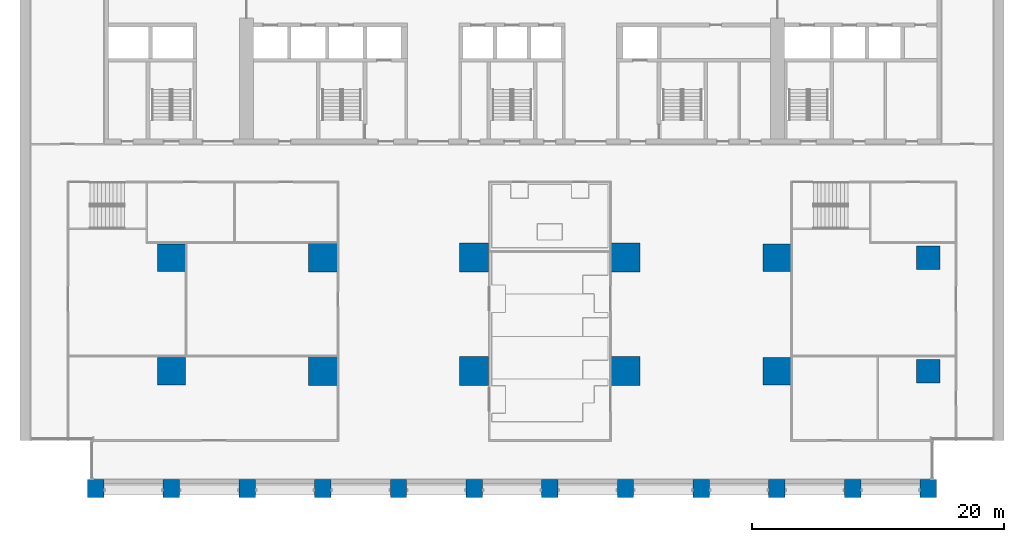
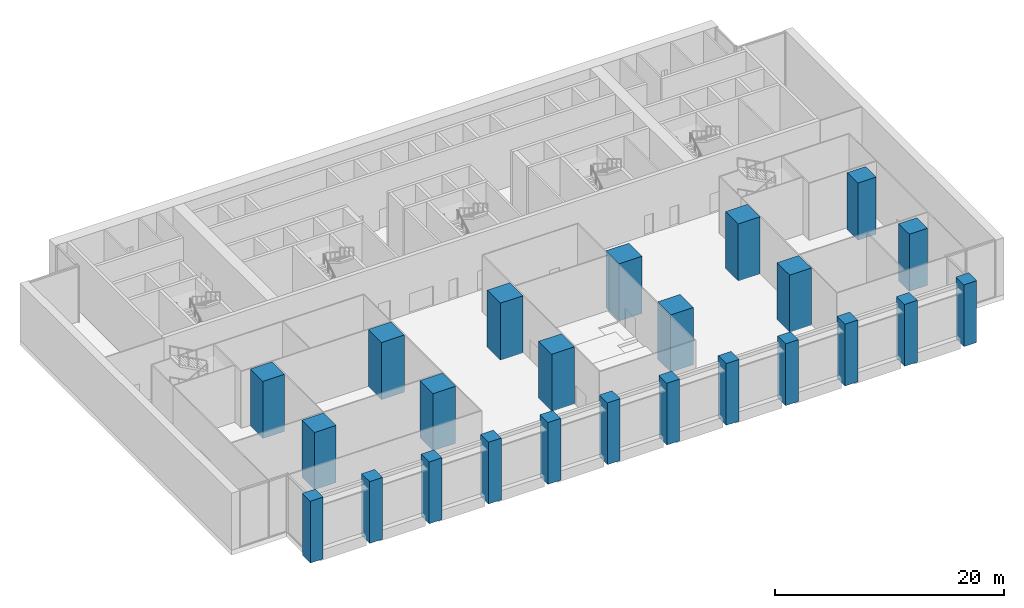
# One storey, part 1 of 18: 24 columns.
"""IFC4 building model written with IfcOpenShell, lengths in metres."""

from ifc_helpers import new_model, si_unit, direction, frame, origin, origin_2d, place, context, subcontext, project, spatial, rectangle, extrude, material, material_profile, profile_set, type_object, element, save


model = new_model("IFC4")

# Units and contexts
model_context = context("Model", 3, precision=1e-05, world=origin(), true_north=direction((0.0, 1.0)))
body_context = subcontext(model_context, "Body", "Model", "MODEL_VIEW")
ifc_project = project(units=[si_unit("LENGTHUNIT", "METRE"), si_unit("AREAUNIT", "SQUARE_METRE"), si_unit("VOLUMEUNIT", "CUBIC_METRE"), si_unit("PLANEANGLEUNIT", "RADIAN"), si_unit("MASSUNIT", "GRAM", prefix="KILO")], contexts=[model_context])

# Site, building, storey
site_placement = place(None, origin())
site = spatial("IfcSite", under=ifc_project, at=site_placement, CompositionType="ELEMENT")
building_placement = place(site_placement, origin())
building = spatial("IfcBuilding", under=site, at=building_placement, Name="Calvaro Tower", CompositionType="ELEMENT")
storey_placement = place(building_placement, frame((0.0, 0.0, 11.300048828125)))
storey = spatial("IfcBuildingStorey", under=building, at=storey_placement, Name="L02", CompositionType="ELEMENT", Elevation=11.300048828125)

# Columns
ifc_material_1 = material(Name="Concrete C80/95", Category="concrete")
ifc_material_profile_1 = material_profile(ifc_material_1, rectangle(XDim=1.85009765625, YDim=1.85009765625, at=origin_2d()), Name="RC 1850x1850")
ifc_profile_set_1 = profile_set([ifc_material_profile_1], Name="Concrete C80/95")
column_type_1 = type_object("IfcColumnType", Name="Mega-column 1850x1850 C80/95", PredefinedType="COLUMN", material=ifc_profile_set_1)
for number, where, z_axis, x_axis, name in (
    (1, (72.0, 10.0, 0.0), (0.0, 0.0, 1.0), (1.0, 0.0, 0.0), "Mega-column 13B"),
    (2, (72.0, 19.0, 0.0), (0.0, 0.0, 1.0), (1.0, 0.0, 0.0), "Mega-column 13C"),
):
    element("IfcColumn", number, at=place(storey_placement, frame(where, z_axis=z_axis, x_axis=x_axis)), inside=storey, type_object=column_type_1, Name=name, PredefinedType="COLUMN", context=body_context, shape_type="SweptSolid", body=[
        extrude(rectangle(XDim=1.85009765625, YDim=1.85009765625, at=origin_2d()), origin(), (0.0, 0.0, 1.0), 6.099853515625),
    ])
ifc_material_2 = material(Name="Concrete C80/95", Category="concrete")
ifc_material_profile_2 = material_profile(ifc_material_2, rectangle(XDim=2.199951171875, YDim=2.199951171875, at=origin_2d()), Name="RC 2200x2200")
ifc_profile_set_2 = profile_set([ifc_material_profile_2], Name="Concrete C80/95")
column_type_2 = type_object("IfcColumnType", Name="Mega-column 2200x2200 C80/95", PredefinedType="COLUMN", material=ifc_profile_set_2)
for number, where, z_axis, x_axis, name in (
    (3, (12.0, 10.0, 0.0), (0.0, 0.0, 1.0), (1.0, 0.0, 0.0), "Mega-column 3B"),
    (4, (12.0, 19.0, 0.0), (0.0, 0.0, 1.0), (1.0, 0.0, 0.0), "Mega-column 3C"),
    (5, (60.0, 10.0, 0.0), (0.0, 0.0, 1.0), (1.0, 0.0, 0.0), "Mega-column 11B"),
    (6, (60.0, 19.0, 0.0), (0.0, 0.0, 1.0), (1.0, 0.0, 0.0), "Mega-column 11C"),
):
    element("IfcColumn", number, at=place(storey_placement, frame(where, z_axis=z_axis, x_axis=x_axis)), inside=storey, type_object=column_type_2, Name=name, PredefinedType="COLUMN", context=body_context, shape_type="SweptSolid", body=[
        extrude(rectangle(XDim=2.199951171875, YDim=2.199951171875, at=origin_2d()), origin(), (0.0, 0.0, 1.0), 6.099853515625),
    ])
ifc_material_3 = material(Name="Concrete C80/95", Category="concrete")
ifc_material_profile_3 = material_profile(ifc_material_3, rectangle(XDim=2.300048828125, YDim=2.300048828125, at=origin_2d()), Name="RC 2300x2300")
ifc_profile_set_3 = profile_set([ifc_material_profile_3], Name="Concrete C80/95")
column_type_3 = type_object("IfcColumnType", Name="Mega-column 2300x2300 C80/95", PredefinedType="COLUMN", material=ifc_profile_set_3)
for number, where, z_axis, x_axis, name in (
    (7, (24.0, 10.0, 0.0), (0.0, 0.0, 1.0), (1.0, 0.0, 0.0), "Mega-column 5B"),
    (8, (24.0, 19.0, 0.0), (0.0, 0.0, 1.0), (1.0, 0.0, 0.0), "Mega-column 5C"),
    (9, (36.0, 10.0, 0.0), (0.0, 0.0, 1.0), (1.0, 0.0, 0.0), "Mega-column 7B"),
    (10, (36.0, 19.0, 0.0), (0.0, 0.0, 1.0), (1.0, 0.0, 0.0), "Mega-column 7C"),
    (11, (48.0, 10.0, 0.0), (0.0, 0.0, 1.0), (1.0, 0.0, 0.0), "Mega-column 9B"),
    (12, (48.0, 19.0, 0.0), (0.0, 0.0, 1.0), (1.0, 0.0, 0.0), "Mega-column 9C"),
):
    element("IfcColumn", number, at=place(storey_placement, frame(where, z_axis=z_axis, x_axis=x_axis)), inside=storey, type_object=column_type_3, Name=name, PredefinedType="COLUMN", context=body_context, shape_type="SweptSolid", body=[
        extrude(rectangle(XDim=2.300048828125, YDim=2.300048828125, at=origin_2d()), origin(), (0.0, 0.0, 1.0), 6.099853515625),
    ])
ifc_material_4 = material(Name="Concrete C80/95", Category="concrete")
ifc_material_profile_4 = material_profile(ifc_material_4, rectangle(XDim=1.300048828125, YDim=1.39990234375, at=origin_2d()), Name="RC 1300x1400")
ifc_profile_set_4 = profile_set([ifc_material_profile_4], Name="Concrete C80/95")
column_type_4 = type_object("IfcColumnType", Name="Pier 1300x1400 C80/95", PredefinedType="COLUMN", material=ifc_profile_set_4)
for number, where, z_axis, x_axis, name in (
    (13, (6.0, 0.699951171875, -0.5), (0.0, 0.0, 1.0), (1.0, 0.0, 0.0), "South pier 2"),
    (14, (12.0, 0.699951171875, -0.5), (0.0, 0.0, 1.0), (1.0, 0.0, 0.0), "South pier 3"),
    (15, (18.0, 0.699951171875, -0.5), (0.0, 0.0, 1.0), (1.0, 0.0, 0.0), "South pier 4"),
    (16, (24.0, 0.699951171875, -0.5), (0.0, 0.0, 1.0), (1.0, 0.0, 0.0), "South pier 5"),
    (17, (30.0, 0.699951171875, -0.5), (0.0, 0.0, 1.0), (1.0, 0.0, 0.0), "South pier 6"),
    (18, (36.0, 0.699951171875, -0.5), (0.0, 0.0, 1.0), (1.0, 0.0, 0.0), "South pier 7"),
    (19, (42.0, 0.699951171875, -0.5), (0.0, 0.0, 1.0), (1.0, 0.0, 0.0), "South pier 8"),
    (20, (48.0, 0.699951171875, -0.5), (0.0, 0.0, 1.0), (1.0, 0.0, 0.0), "South pier 9"),
    (21, (54.0, 0.699951171875, -0.5), (0.0, 0.0, 1.0), (1.0, 0.0, 0.0), "South pier 10"),
    (22, (60.0, 0.699951171875, -0.5), (0.0, 0.0, 1.0), (1.0, 0.0, 0.0), "South pier 11"),
    (23, (66.0, 0.699951171875, -0.5), (0.0, 0.0, 1.0), (1.0, 0.0, 0.0), "South pier 12"),
    (24, (72.0, 0.699951171875, -0.5), (0.0, 0.0, 1.0), (1.0, 0.0, 0.0), "South pier 13"),
):
    element("IfcColumn", number, at=place(storey_placement, frame(where, z_axis=z_axis, x_axis=x_axis)), inside=storey, type_object=column_type_4, Name=name, PredefinedType="COLUMN", context=body_context, shape_type="SweptSolid", body=[
        extrude(rectangle(XDim=1.300048828125, YDim=1.39990234375, at=origin_2d()), origin(), (0.0, 0.0, 1.0), 6.599853515625),
    ])

save(model, "model.ifc")
